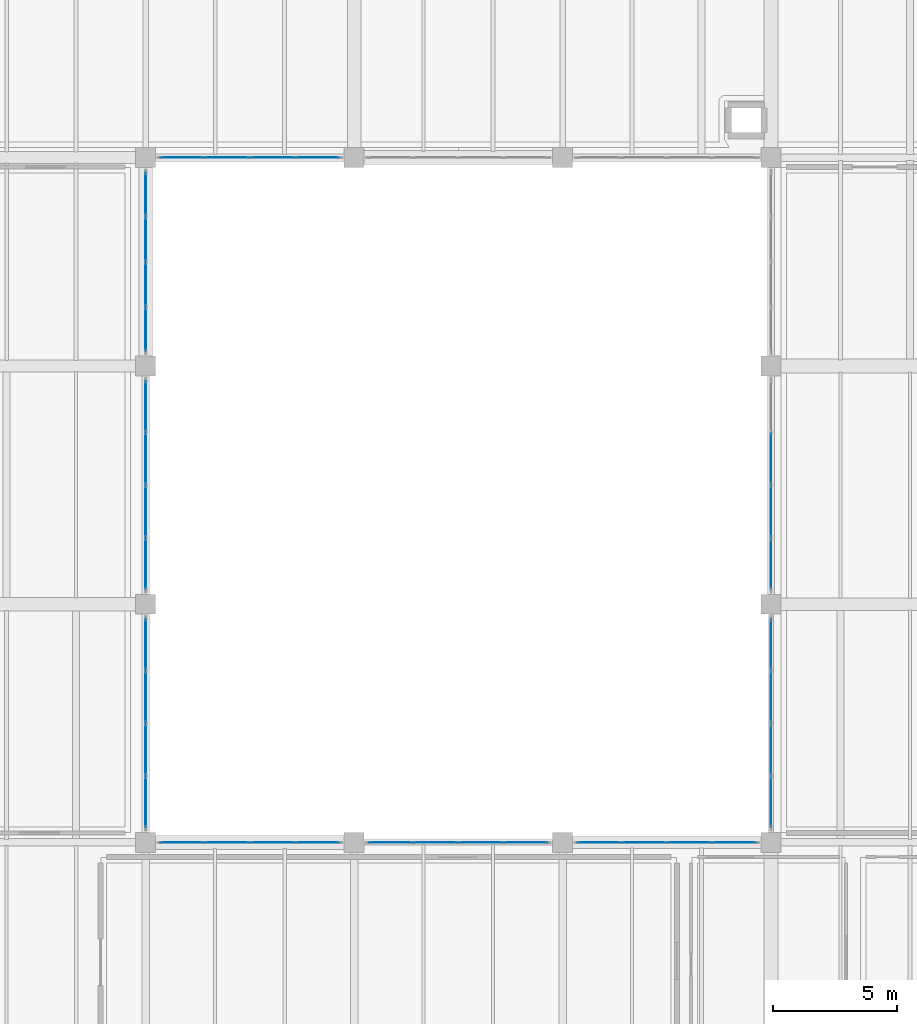
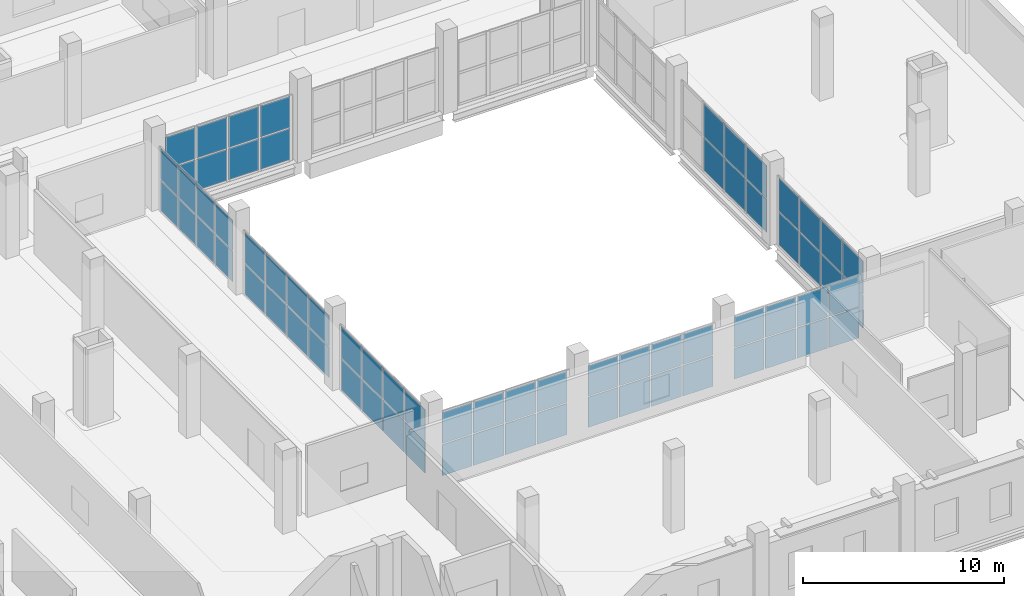
# One storey, part 52 of 73: 70 plates, 9 elements without a shape of their own.
"""IFC4 building model written with IfcOpenShell, lengths in metres."""

from ifc_helpers import new_model, si_unit, direction, frame, origin, origin_2d, place, context, subcontext, project, spatial, rectangle, extrude, material, layer, layer_set, type_object, element, aggregate, save


model = new_model("IFC4")

# Units and contexts
model_context = context("Model", 3, precision=1e-05, world=origin(), true_north=direction((0.0, 1.0)))
body_context = subcontext(model_context, "Body", "Model", "MODEL_VIEW")
ifc_project = project(units=[si_unit("LENGTHUNIT", "METRE"), si_unit("AREAUNIT", "SQUARE_METRE"), si_unit("VOLUMEUNIT", "CUBIC_METRE"), si_unit("PLANEANGLEUNIT", "RADIAN"), si_unit("MASSUNIT", "GRAM", prefix="KILO")], contexts=[model_context])

# Site, building, storey
site_placement = place(None, origin())
site = spatial("IfcSite", under=ifc_project, at=site_placement, CompositionType="ELEMENT")
building_placement = place(site_placement, origin())
building = spatial("IfcBuilding", under=site, at=building_placement, Name="Zulmaris Art Gallery", CompositionType="ELEMENT")
storey_placement = place(building_placement, frame((0.0, 0.0, 10.5)))
storey = spatial("IfcBuildingStorey", under=building, at=storey_placement, Name="L02", CompositionType="ELEMENT", Elevation=10.5)

# Curtain wall, plates
ifc_material_1 = material(Name="Courtyard Artists Studio Curtain Wall", Category="aluminium")
ifc_layer_1 = layer(ifc_material_1, 0.179931640625)
ifc_layer_set_1 = layer_set([ifc_layer_1], Name="Courtyard Artists Studio Curtain Wall")
curtain_wall_type = type_object("IfcCurtainWallType", Name="CW-CW04", PredefinedType="NOTDEFINED", material=ifc_layer_set_1)
curtain_wall_1_placement = place(storey_placement, origin())
curtain_wall_1 = element("IfcCurtainWall", 1, at=curtain_wall_1_placement, inside=storey, type_object=curtain_wall_type, Name="L02 curtain wall 135", PredefinedType="NOTDEFINED")
ifc_material_2 = material(Name="Triple Solar-Control Laminated Glass", Category="glass")
ifc_layer_2 = layer(ifc_material_2, 0.035888671875)
ifc_layer_set_2 = layer_set([ifc_layer_2], Name="Triple Solar-Control Laminated Glass")
plate_type = type_object("IfcPlateType", Name="CWPAN-GLZ", PredefinedType="CURTAIN_PANEL", material=ifc_layer_set_2)
plate_1_placement = place(storey_placement, frame((158.39990234375, 32.82373046875, 0.0751953125), z_axis=(0.0, 0.0, 1.0), x_axis=(0.0, 1.0, 0.0)))
plate_1 = element("IfcPlate", 2, at=plate_1_placement, type_object=plate_type, Name="CW04 panel 1.1", PredefinedType="CURTAIN_PANEL", context=body_context, shape_type="SweptSolid", body=[
    extrude(rectangle(XDim=2.017578125, YDim=0.031982421875, at=origin_2d()), origin(), (0.0, 0.0, 1.0), 1.887451171875),
])
plate_2_placement = place(storey_placement, frame((158.39990234375, 32.82373046875, 2.03759765625), z_axis=(0.0, 0.0, 1.0), x_axis=(0.0, 1.0, 0.0)))
plate_2 = element("IfcPlate", 3, at=plate_2_placement, type_object=plate_type, Name="CW04 panel 1.2", PredefinedType="CURTAIN_PANEL", context=body_context, shape_type="SweptSolid", body=[
    extrude(rectangle(XDim=2.017578125, YDim=0.031982421875, at=origin_2d()), origin(), (0.0, 0.0, 1.0), 1.887451171875),
])
plate_3_placement = place(storey_placement, frame((158.39990234375, 34.93505859375, 0.0751953125), z_axis=(0.0, 0.0, 1.0), x_axis=(0.0, 1.0, 0.0)))
plate_3 = element("IfcPlate", 4, at=plate_3_placement, type_object=plate_type, Name="CW04 panel 2.1", PredefinedType="CURTAIN_PANEL", context=body_context, shape_type="SweptSolid", body=[
    extrude(rectangle(XDim=2.054931640625, YDim=0.031982421875, at=origin_2d()), origin(), (0.0, 0.0, 1.0), 1.887451171875),
])
plate_4_placement = place(storey_placement, frame((158.39990234375, 34.93505859375, 2.03759765625), z_axis=(0.0, 0.0, 1.0), x_axis=(0.0, 1.0, 0.0)))
plate_4 = element("IfcPlate", 5, at=plate_4_placement, type_object=plate_type, Name="CW04 panel 2.2", PredefinedType="CURTAIN_PANEL", context=body_context, shape_type="SweptSolid", body=[
    extrude(rectangle(XDim=2.054931640625, YDim=0.031982421875, at=origin_2d()), origin(), (0.0, 0.0, 1.0), 1.887451171875),
])
plate_5_placement = place(storey_placement, frame((158.39990234375, 37.06494140625, 0.0751953125), z_axis=(0.0, 0.0, 1.0), x_axis=(0.0, 1.0, 0.0)))
plate_5 = element("IfcPlate", 6, at=plate_5_placement, type_object=plate_type, Name="CW04 panel 3.1", PredefinedType="CURTAIN_PANEL", context=body_context, shape_type="SweptSolid", body=[
    extrude(rectangle(XDim=2.054931640625, YDim=0.031982421875, at=origin_2d()), origin(), (0.0, 0.0, 1.0), 1.887451171875),
])
plate_6_placement = place(storey_placement, frame((158.39990234375, 37.06494140625, 2.03759765625), z_axis=(0.0, 0.0, 1.0), x_axis=(0.0, 1.0, 0.0)))
plate_6 = element("IfcPlate", 7, at=plate_6_placement, type_object=plate_type, Name="CW04 panel 3.2", PredefinedType="CURTAIN_PANEL", context=body_context, shape_type="SweptSolid", body=[
    extrude(rectangle(XDim=2.054931640625, YDim=0.031982421875, at=origin_2d()), origin(), (0.0, 0.0, 1.0), 1.887451171875),
])
plate_7_placement = place(storey_placement, frame((158.39990234375, 39.17626953125, 0.0751953125), z_axis=(0.0, 0.0, 1.0), x_axis=(0.0, 1.0, 0.0)))
plate_7 = element("IfcPlate", 8, at=plate_7_placement, type_object=plate_type, Name="CW04 panel 4.1", PredefinedType="CURTAIN_PANEL", context=body_context, shape_type="SweptSolid", body=[
    extrude(rectangle(XDim=2.017578125, YDim=0.031982421875, at=origin_2d()), origin(), (0.0, 0.0, 1.0), 1.887451171875),
])
plate_8_placement = place(storey_placement, frame((158.39990234375, 39.17626953125, 2.03759765625), z_axis=(0.0, 0.0, 1.0), x_axis=(0.0, 1.0, 0.0)))
plate_8 = element("IfcPlate", 9, at=plate_8_placement, type_object=plate_type, Name="CW04 panel 4.2", PredefinedType="CURTAIN_PANEL", context=body_context, shape_type="SweptSolid", body=[
    extrude(rectangle(XDim=2.017578125, YDim=0.031982421875, at=origin_2d()), origin(), (0.0, 0.0, 1.0), 1.887451171875),
])
aggregate(curtain_wall_1, [plate_1, plate_2, plate_3, plate_4, plate_5, plate_6, plate_7, plate_8])

curtain_wall_2_placement = place(storey_placement, origin())
curtain_wall_2 = element("IfcCurtainWall", 10, at=curtain_wall_2_placement, inside=storey, type_object=curtain_wall_type, Name="L02 curtain wall 136", PredefinedType="NOTDEFINED")
plate_9_placement = place(storey_placement, frame((183.60009765625, 39.17626953125, 0.074951171875), z_axis=(0.0, 0.0, 1.0), x_axis=(0.0, -1.0, 0.0)))
plate_9 = element("IfcPlate", 11, at=plate_9_placement, type_object=plate_type, Name="CW04 panel 1.1", PredefinedType="CURTAIN_PANEL", context=body_context, shape_type="SweptSolid", body=[
    extrude(rectangle(XDim=2.017578125, YDim=0.031982421875, at=origin_2d()), origin(), (0.0, 0.0, 1.0), 2.00244140625),
])
plate_10_placement = place(storey_placement, frame((183.60009765625, 39.17626953125, 2.152587890625), z_axis=(0.0, 0.0, 1.0), x_axis=(0.0, -1.0, 0.0)))
plate_10 = element("IfcPlate", 12, at=plate_10_placement, type_object=plate_type, Name="CW04 panel 1.2", PredefinedType="CURTAIN_PANEL", context=body_context, shape_type="SweptSolid", body=[
    extrude(rectangle(XDim=2.017578125, YDim=0.031982421875, at=origin_2d()), origin(), (0.0, 0.0, 1.0), 2.00244140625),
])
plate_11_placement = place(storey_placement, frame((183.60009765625, 37.06494140625, 0.074951171875), z_axis=(0.0, 0.0, 1.0), x_axis=(0.0, -1.0, 0.0)))
plate_11 = element("IfcPlate", 13, at=plate_11_placement, type_object=plate_type, Name="CW04 panel 2.1", PredefinedType="CURTAIN_PANEL", context=body_context, shape_type="SweptSolid", body=[
    extrude(rectangle(XDim=2.054931640625, YDim=0.031982421875, at=origin_2d()), origin(), (0.0, 0.0, 1.0), 2.00244140625),
])
plate_12_placement = place(storey_placement, frame((183.60009765625, 37.06494140625, 2.152587890625), z_axis=(0.0, 0.0, 1.0), x_axis=(0.0, -1.0, 0.0)))
plate_12 = element("IfcPlate", 14, at=plate_12_placement, type_object=plate_type, Name="CW04 panel 2.2", PredefinedType="CURTAIN_PANEL", context=body_context, shape_type="SweptSolid", body=[
    extrude(rectangle(XDim=2.054931640625, YDim=0.031982421875, at=origin_2d()), origin(), (0.0, 0.0, 1.0), 2.00244140625),
])
plate_13_placement = place(storey_placement, frame((183.60009765625, 34.93505859375, 0.074951171875), z_axis=(0.0, 0.0, 1.0), x_axis=(0.0, -1.0, 0.0)))
plate_13 = element("IfcPlate", 15, at=plate_13_placement, type_object=plate_type, Name="CW04 panel 3.1", PredefinedType="CURTAIN_PANEL", context=body_context, shape_type="SweptSolid", body=[
    extrude(rectangle(XDim=2.054931640625, YDim=0.031982421875, at=origin_2d()), origin(), (0.0, 0.0, 1.0), 2.00244140625),
])
plate_14_placement = place(storey_placement, frame((183.60009765625, 34.93505859375, 2.152587890625), z_axis=(0.0, 0.0, 1.0), x_axis=(0.0, -1.0, 0.0)))
plate_14 = element("IfcPlate", 16, at=plate_14_placement, type_object=plate_type, Name="CW04 panel 3.2", PredefinedType="CURTAIN_PANEL", context=body_context, shape_type="SweptSolid", body=[
    extrude(rectangle(XDim=2.054931640625, YDim=0.031982421875, at=origin_2d()), origin(), (0.0, 0.0, 1.0), 2.00244140625),
])
plate_15_placement = place(storey_placement, frame((183.60009765625, 32.82373046875, 0.074951171875), z_axis=(0.0, 0.0, 1.0), x_axis=(0.0, -1.0, 0.0)))
plate_15 = element("IfcPlate", 17, at=plate_15_placement, type_object=plate_type, Name="CW04 panel 4.1", PredefinedType="CURTAIN_PANEL", context=body_context, shape_type="SweptSolid", body=[
    extrude(rectangle(XDim=2.017578125, YDim=0.031982421875, at=origin_2d()), origin(), (0.0, 0.0, 1.0), 2.00244140625),
])
plate_16_placement = place(storey_placement, frame((183.60009765625, 32.82373046875, 2.152587890625), z_axis=(0.0, 0.0, 1.0), x_axis=(0.0, -1.0, 0.0)))
plate_16 = element("IfcPlate", 18, at=plate_16_placement, type_object=plate_type, Name="CW04 panel 4.2", PredefinedType="CURTAIN_PANEL", context=body_context, shape_type="SweptSolid", body=[
    extrude(rectangle(XDim=2.017578125, YDim=0.031982421875, at=origin_2d()), origin(), (0.0, 0.0, 1.0), 2.00244140625),
])
aggregate(curtain_wall_2, [plate_9, plate_10, plate_11, plate_12, plate_13, plate_14, plate_15, plate_16])

curtain_wall_3_placement = place(storey_placement, origin())
curtain_wall_3 = element("IfcCurtainWall", 19, at=curtain_wall_3_placement, inside=storey, type_object=curtain_wall_type, Name="L02 curtain wall 137", PredefinedType="NOTDEFINED")
plate_17_placement = place(storey_placement, frame((158.39990234375, 42.423828125, 0.074951171875), z_axis=(0.0, 0.0, 1.0), x_axis=(0.0, 1.0, 0.0)))
plate_17 = element("IfcPlate", 20, at=plate_17_placement, type_object=plate_type, Name="CW04 panel 1.1", PredefinedType="CURTAIN_PANEL", context=body_context, shape_type="SweptSolid", body=[
    extrude(rectangle(XDim=2.017578125, YDim=0.031982421875, at=origin_2d()), origin(), (0.0, 0.0, 1.0), 1.83740234375),
])
plate_18_placement = place(storey_placement, frame((158.39990234375, 42.423828125, 1.987548828125), z_axis=(0.0, 0.0, 1.0), x_axis=(0.0, 1.0, 0.0)))
plate_18 = element("IfcPlate", 21, at=plate_18_placement, type_object=plate_type, Name="CW04 panel 1.2", PredefinedType="CURTAIN_PANEL", context=body_context, shape_type="SweptSolid", body=[
    extrude(rectangle(XDim=2.017578125, YDim=0.031982421875, at=origin_2d()), origin(), (0.0, 0.0, 1.0), 1.83740234375),
])
plate_19_placement = place(storey_placement, frame((158.39990234375, 44.534912109375, 0.074951171875), z_axis=(0.0, 0.0, 1.0), x_axis=(0.0, 1.0, 0.0)))
plate_19 = element("IfcPlate", 22, at=plate_19_placement, type_object=plate_type, Name="CW04 panel 2.1", PredefinedType="CURTAIN_PANEL", context=body_context, shape_type="SweptSolid", body=[
    extrude(rectangle(XDim=2.054931640625, YDim=0.031982421875, at=origin_2d()), origin(), (0.0, 0.0, 1.0), 1.83740234375),
])
plate_20_placement = place(storey_placement, frame((158.39990234375, 44.534912109375, 1.987548828125), z_axis=(0.0, 0.0, 1.0), x_axis=(0.0, 1.0, 0.0)))
plate_20 = element("IfcPlate", 23, at=plate_20_placement, type_object=plate_type, Name="CW04 panel 2.2", PredefinedType="CURTAIN_PANEL", context=body_context, shape_type="SweptSolid", body=[
    extrude(rectangle(XDim=2.054931640625, YDim=0.031982421875, at=origin_2d()), origin(), (0.0, 0.0, 1.0), 1.83740234375),
])
plate_21_placement = place(storey_placement, frame((158.39990234375, 46.6650390625, 0.074951171875), z_axis=(0.0, 0.0, 1.0), x_axis=(0.0, 1.0, 0.0)))
plate_21 = element("IfcPlate", 24, at=plate_21_placement, type_object=plate_type, Name="CW04 panel 3.1", PredefinedType="CURTAIN_PANEL", context=body_context, shape_type="SweptSolid", body=[
    extrude(rectangle(XDim=2.054931640625, YDim=0.031982421875, at=origin_2d()), origin(), (0.0, 0.0, 1.0), 1.83740234375),
])
plate_22_placement = place(storey_placement, frame((158.39990234375, 46.6650390625, 1.987548828125), z_axis=(0.0, 0.0, 1.0), x_axis=(0.0, 1.0, 0.0)))
plate_22 = element("IfcPlate", 25, at=plate_22_placement, type_object=plate_type, Name="CW04 panel 3.2", PredefinedType="CURTAIN_PANEL", context=body_context, shape_type="SweptSolid", body=[
    extrude(rectangle(XDim=2.054931640625, YDim=0.031982421875, at=origin_2d()), origin(), (0.0, 0.0, 1.0), 1.83740234375),
])
plate_23_placement = place(storey_placement, frame((158.39990234375, 48.7763671875, 0.074951171875), z_axis=(0.0, 0.0, 1.0), x_axis=(0.0, 1.0, 0.0)))
plate_23 = element("IfcPlate", 26, at=plate_23_placement, type_object=plate_type, Name="CW04 panel 4.1", PredefinedType="CURTAIN_PANEL", context=body_context, shape_type="SweptSolid", body=[
    extrude(rectangle(XDim=2.017578125, YDim=0.031982421875, at=origin_2d()), origin(), (0.0, 0.0, 1.0), 1.83740234375),
])
plate_24_placement = place(storey_placement, frame((158.39990234375, 48.7763671875, 1.987548828125), z_axis=(0.0, 0.0, 1.0), x_axis=(0.0, 1.0, 0.0)))
plate_24 = element("IfcPlate", 27, at=plate_24_placement, type_object=plate_type, Name="CW04 panel 4.2", PredefinedType="CURTAIN_PANEL", context=body_context, shape_type="SweptSolid", body=[
    extrude(rectangle(XDim=2.017578125, YDim=0.031982421875, at=origin_2d()), origin(), (0.0, 0.0, 1.0), 1.83740234375),
])
aggregate(curtain_wall_3, [plate_17, plate_18, plate_19, plate_20, plate_21, plate_22, plate_23, plate_24])

curtain_wall_4_placement = place(storey_placement, origin())
curtain_wall_4 = element("IfcCurtainWall", 28, at=curtain_wall_4_placement, inside=storey, type_object=curtain_wall_type, Name="L02 curtain wall 138", PredefinedType="NOTDEFINED")
plate_25_placement = place(storey_placement, frame((183.60009765625, 46.6650390625, 0.0751953125), z_axis=(0.0, 0.0, 1.0), x_axis=(0.0, -1.0, 0.0)))
plate_25 = element("IfcPlate", 29, at=plate_25_placement, type_object=plate_type, Name="CW04 panel 2.1", PredefinedType="CURTAIN_PANEL", context=body_context, shape_type="SweptSolid", body=[
    extrude(rectangle(XDim=2.054931640625, YDim=0.031982421875, at=origin_2d()), origin(), (0.0, 0.0, 1.0), 1.992431640625),
])
plate_26_placement = place(storey_placement, frame((183.60009765625, 46.6650390625, 2.142578125), z_axis=(0.0, 0.0, 1.0), x_axis=(0.0, -1.0, 0.0)))
plate_26 = element("IfcPlate", 30, at=plate_26_placement, type_object=plate_type, Name="CW04 panel 2.2", PredefinedType="CURTAIN_PANEL", context=body_context, shape_type="SweptSolid", body=[
    extrude(rectangle(XDim=2.054931640625, YDim=0.031982421875, at=origin_2d()), origin(), (0.0, 0.0, 1.0), 1.992431640625),
])
plate_27_placement = place(storey_placement, frame((183.60009765625, 44.534912109375, 0.0751953125), z_axis=(0.0, 0.0, 1.0), x_axis=(0.0, -1.0, 0.0)))
plate_27 = element("IfcPlate", 31, at=plate_27_placement, type_object=plate_type, Name="CW04 panel 3.1", PredefinedType="CURTAIN_PANEL", context=body_context, shape_type="SweptSolid", body=[
    extrude(rectangle(XDim=2.054931640625, YDim=0.031982421875, at=origin_2d()), origin(), (0.0, 0.0, 1.0), 1.992431640625),
])
plate_28_placement = place(storey_placement, frame((183.60009765625, 44.534912109375, 2.142578125), z_axis=(0.0, 0.0, 1.0), x_axis=(0.0, -1.0, 0.0)))
plate_28 = element("IfcPlate", 32, at=plate_28_placement, type_object=plate_type, Name="CW04 panel 3.2", PredefinedType="CURTAIN_PANEL", context=body_context, shape_type="SweptSolid", body=[
    extrude(rectangle(XDim=2.054931640625, YDim=0.031982421875, at=origin_2d()), origin(), (0.0, 0.0, 1.0), 1.992431640625),
])
plate_29_placement = place(storey_placement, frame((183.60009765625, 42.423828125, 0.0751953125), z_axis=(0.0, 0.0, 1.0), x_axis=(0.0, -1.0, 0.0)))
plate_29 = element("IfcPlate", 33, at=plate_29_placement, type_object=plate_type, Name="CW04 panel 4.1", PredefinedType="CURTAIN_PANEL", context=body_context, shape_type="SweptSolid", body=[
    extrude(rectangle(XDim=2.017578125, YDim=0.031982421875, at=origin_2d()), origin(), (0.0, 0.0, 1.0), 1.992431640625),
])
plate_30_placement = place(storey_placement, frame((183.60009765625, 42.423828125, 2.142578125), z_axis=(0.0, 0.0, 1.0), x_axis=(0.0, -1.0, 0.0)))
plate_30 = element("IfcPlate", 34, at=plate_30_placement, type_object=plate_type, Name="CW04 panel 4.2", PredefinedType="CURTAIN_PANEL", context=body_context, shape_type="SweptSolid", body=[
    extrude(rectangle(XDim=2.017578125, YDim=0.031982421875, at=origin_2d()), origin(), (0.0, 0.0, 1.0), 1.992431640625),
])
aggregate(curtain_wall_4, [plate_25, plate_26, plate_27, plate_28, plate_29, plate_30])

curtain_wall_5_placement = place(storey_placement, origin())
curtain_wall_5 = element("IfcCurtainWall", 35, at=curtain_wall_5_placement, inside=storey, type_object=curtain_wall_type, Name="L02 curtain wall 139", PredefinedType="NOTDEFINED")
plate_31_placement = place(storey_placement, frame((158.39990234375, 51.873779296875, 0.074951171875), z_axis=(0.0, 0.0, 1.0), x_axis=(0.0, 1.0, 0.0)))
plate_31 = element("IfcPlate", 36, at=plate_31_placement, type_object=plate_type, Name="CW04 panel 1.1", PredefinedType="CURTAIN_PANEL", context=body_context, shape_type="SweptSolid", body=[
    extrude(rectangle(XDim=1.717529296875, YDim=0.031982421875, at=origin_2d()), origin(), (0.0, 0.0, 1.0), 1.83740234375),
])
plate_32_placement = place(storey_placement, frame((158.39990234375, 51.873779296875, 1.987548828125), z_axis=(0.0, 0.0, 1.0), x_axis=(0.0, 1.0, 0.0)))
plate_32 = element("IfcPlate", 37, at=plate_32_placement, type_object=plate_type, Name="CW04 panel 1.2", PredefinedType="CURTAIN_PANEL", context=body_context, shape_type="SweptSolid", body=[
    extrude(rectangle(XDim=1.717529296875, YDim=0.031982421875, at=origin_2d()), origin(), (0.0, 0.0, 1.0), 1.83740234375),
])
plate_33_placement = place(storey_placement, frame((158.39990234375, 53.68505859375, 0.074951171875), z_axis=(0.0, 0.0, 1.0), x_axis=(0.0, 1.0, 0.0)))
plate_33 = element("IfcPlate", 38, at=plate_33_placement, type_object=plate_type, Name="CW04 panel 2.1", PredefinedType="CURTAIN_PANEL", context=body_context, shape_type="SweptSolid", body=[
    extrude(rectangle(XDim=1.7548828125, YDim=0.031982421875, at=origin_2d()), origin(), (0.0, 0.0, 1.0), 1.83740234375),
])
plate_34_placement = place(storey_placement, frame((158.39990234375, 53.68505859375, 1.987548828125), z_axis=(0.0, 0.0, 1.0), x_axis=(0.0, 1.0, 0.0)))
plate_34 = element("IfcPlate", 39, at=plate_34_placement, type_object=plate_type, Name="CW04 panel 2.2", PredefinedType="CURTAIN_PANEL", context=body_context, shape_type="SweptSolid", body=[
    extrude(rectangle(XDim=1.7548828125, YDim=0.031982421875, at=origin_2d()), origin(), (0.0, 0.0, 1.0), 1.83740234375),
])
plate_35_placement = place(storey_placement, frame((158.39990234375, 55.514892578125, 0.074951171875), z_axis=(0.0, 0.0, 1.0), x_axis=(0.0, 1.0, 0.0)))
plate_35 = element("IfcPlate", 40, at=plate_35_placement, type_object=plate_type, Name="CW04 panel 3.1", PredefinedType="CURTAIN_PANEL", context=body_context, shape_type="SweptSolid", body=[
    extrude(rectangle(XDim=1.7548828125, YDim=0.031982421875, at=origin_2d()), origin(), (0.0, 0.0, 1.0), 1.83740234375),
])
plate_36_placement = place(storey_placement, frame((158.39990234375, 55.514892578125, 1.987548828125), z_axis=(0.0, 0.0, 1.0), x_axis=(0.0, 1.0, 0.0)))
plate_36 = element("IfcPlate", 41, at=plate_36_placement, type_object=plate_type, Name="CW04 panel 3.2", PredefinedType="CURTAIN_PANEL", context=body_context, shape_type="SweptSolid", body=[
    extrude(rectangle(XDim=1.7548828125, YDim=0.031982421875, at=origin_2d()), origin(), (0.0, 0.0, 1.0), 1.83740234375),
])
plate_37_placement = place(storey_placement, frame((158.39990234375, 57.326171875, 0.074951171875), z_axis=(0.0, 0.0, 1.0), x_axis=(0.0, 1.0, 0.0)))
plate_37 = element("IfcPlate", 42, at=plate_37_placement, type_object=plate_type, Name="CW04 panel 4.1", PredefinedType="CURTAIN_PANEL", context=body_context, shape_type="SweptSolid", body=[
    extrude(rectangle(XDim=1.717529296875, YDim=0.031982421875, at=origin_2d()), origin(), (0.0, 0.0, 1.0), 1.83740234375),
])
plate_38_placement = place(storey_placement, frame((158.39990234375, 57.326171875, 1.987548828125), z_axis=(0.0, 0.0, 1.0), x_axis=(0.0, 1.0, 0.0)))
plate_38 = element("IfcPlate", 43, at=plate_38_placement, type_object=plate_type, Name="CW04 panel 4.2", PredefinedType="CURTAIN_PANEL", context=body_context, shape_type="SweptSolid", body=[
    extrude(rectangle(XDim=1.717529296875, YDim=0.031982421875, at=origin_2d()), origin(), (0.0, 0.0, 1.0), 1.83740234375),
])
aggregate(curtain_wall_5, [plate_31, plate_32, plate_33, plate_34, plate_35, plate_36, plate_37, plate_38])

curtain_wall_6_placement = place(storey_placement, origin())
curtain_wall_6 = element("IfcCurtainWall", 44, at=curtain_wall_6_placement, inside=storey, type_object=curtain_wall_type, Name="L02 curtain wall 141", PredefinedType="NOTDEFINED")
plate_39_placement = place(storey_placement, frame((165.326171875, 58.800048828125, 0.0751953125), z_axis=(0.0, 0.0, 1.0), x_axis=(-1.0, 0.0, 0.0)))
plate_39 = element("IfcPlate", 45, at=plate_39_placement, type_object=plate_type, Name="CW04 panel 1.1", PredefinedType="CURTAIN_PANEL", context=body_context, shape_type="SweptSolid", body=[
    extrude(rectangle(XDim=1.717529296875, YDim=0.031982421875, at=origin_2d()), origin(), (0.0, 0.0, 1.0), 1.887451171875),
])
plate_40_placement = place(storey_placement, frame((165.326171875, 58.800048828125, 2.03759765625), z_axis=(0.0, 0.0, 1.0), x_axis=(-1.0, 0.0, 0.0)))
plate_40 = element("IfcPlate", 46, at=plate_40_placement, type_object=plate_type, Name="CW04 panel 1.2", PredefinedType="CURTAIN_PANEL", context=body_context, shape_type="SweptSolid", body=[
    extrude(rectangle(XDim=1.717529296875, YDim=0.031982421875, at=origin_2d()), origin(), (0.0, 0.0, 1.0), 1.887451171875),
])
plate_41_placement = place(storey_placement, frame((163.514892578125, 58.800048828125, 0.0751953125), z_axis=(0.0, 0.0, 1.0), x_axis=(-1.0, 0.0, 0.0)))
plate_41 = element("IfcPlate", 47, at=plate_41_placement, type_object=plate_type, Name="CW04 panel 2.1", PredefinedType="CURTAIN_PANEL", context=body_context, shape_type="SweptSolid", body=[
    extrude(rectangle(XDim=1.7548828125, YDim=0.031982421875, at=origin_2d()), origin(), (0.0, 0.0, 1.0), 1.887451171875),
])
plate_42_placement = place(storey_placement, frame((163.514892578125, 58.800048828125, 2.03759765625), z_axis=(0.0, 0.0, 1.0), x_axis=(-1.0, 0.0, 0.0)))
plate_42 = element("IfcPlate", 48, at=plate_42_placement, type_object=plate_type, Name="CW04 panel 2.2", PredefinedType="CURTAIN_PANEL", context=body_context, shape_type="SweptSolid", body=[
    extrude(rectangle(XDim=1.7548828125, YDim=0.031982421875, at=origin_2d()), origin(), (0.0, 0.0, 1.0), 1.887451171875),
])
plate_43_placement = place(storey_placement, frame((161.68505859375, 58.800048828125, 0.0751953125), z_axis=(0.0, 0.0, 1.0), x_axis=(-1.0, 0.0, 0.0)))
plate_43 = element("IfcPlate", 49, at=plate_43_placement, type_object=plate_type, Name="CW04 panel 3.1", PredefinedType="CURTAIN_PANEL", context=body_context, shape_type="SweptSolid", body=[
    extrude(rectangle(XDim=1.7548828125, YDim=0.031982421875, at=origin_2d()), origin(), (0.0, 0.0, 1.0), 1.887451171875),
])
plate_44_placement = place(storey_placement, frame((161.68505859375, 58.800048828125, 2.03759765625), z_axis=(0.0, 0.0, 1.0), x_axis=(-1.0, 0.0, 0.0)))
plate_44 = element("IfcPlate", 50, at=plate_44_placement, type_object=plate_type, Name="CW04 panel 3.2", PredefinedType="CURTAIN_PANEL", context=body_context, shape_type="SweptSolid", body=[
    extrude(rectangle(XDim=1.7548828125, YDim=0.031982421875, at=origin_2d()), origin(), (0.0, 0.0, 1.0), 1.887451171875),
])
plate_45_placement = place(storey_placement, frame((159.873779296875, 58.800048828125, 0.0751953125), z_axis=(0.0, 0.0, 1.0), x_axis=(-1.0, 0.0, 0.0)))
plate_45 = element("IfcPlate", 51, at=plate_45_placement, type_object=plate_type, Name="CW04 panel 4.1", PredefinedType="CURTAIN_PANEL", context=body_context, shape_type="SweptSolid", body=[
    extrude(rectangle(XDim=1.717529296875, YDim=0.031982421875, at=origin_2d()), origin(), (0.0, 0.0, 1.0), 1.887451171875),
])
plate_46_placement = place(storey_placement, frame((159.873779296875, 58.800048828125, 2.03759765625), z_axis=(0.0, 0.0, 1.0), x_axis=(-1.0, 0.0, 0.0)))
plate_46 = element("IfcPlate", 52, at=plate_46_placement, type_object=plate_type, Name="CW04 panel 4.2", PredefinedType="CURTAIN_PANEL", context=body_context, shape_type="SweptSolid", body=[
    extrude(rectangle(XDim=1.717529296875, YDim=0.031982421875, at=origin_2d()), origin(), (0.0, 0.0, 1.0), 1.887451171875),
])
aggregate(curtain_wall_6, [plate_39, plate_40, plate_41, plate_42, plate_43, plate_44, plate_45, plate_46])

curtain_wall_7_placement = place(storey_placement, origin())
curtain_wall_7 = element("IfcCurtainWall", 53, at=curtain_wall_7_placement, inside=storey, type_object=curtain_wall_type, Name="L02 curtain wall 142", PredefinedType="NOTDEFINED")
plate_47_placement = place(storey_placement, frame((159.873779296875, 31.199951171875, 0.0751953125), z_axis=(0.0, 0.0, 1.0), x_axis=(1.0, 0.0, 0.0)))
plate_47 = element("IfcPlate", 54, at=plate_47_placement, type_object=plate_type, Name="CW04 panel 1.1", PredefinedType="CURTAIN_PANEL", context=body_context, shape_type="SweptSolid", body=[
    extrude(rectangle(XDim=1.717529296875, YDim=0.031982421875, at=origin_2d()), origin(), (0.0, 0.0, 1.0), 1.887451171875),
])
plate_48_placement = place(storey_placement, frame((159.873779296875, 31.199951171875, 2.03759765625), z_axis=(0.0, 0.0, 1.0), x_axis=(1.0, 0.0, 0.0)))
plate_48 = element("IfcPlate", 55, at=plate_48_placement, type_object=plate_type, Name="CW04 panel 1.2", PredefinedType="CURTAIN_PANEL", context=body_context, shape_type="SweptSolid", body=[
    extrude(rectangle(XDim=1.717529296875, YDim=0.031982421875, at=origin_2d()), origin(), (0.0, 0.0, 1.0), 1.887451171875),
])
plate_49_placement = place(storey_placement, frame((161.68505859375, 31.199951171875, 0.0751953125), z_axis=(0.0, 0.0, 1.0), x_axis=(1.0, 0.0, 0.0)))
plate_49 = element("IfcPlate", 56, at=plate_49_placement, type_object=plate_type, Name="CW04 panel 2.1", PredefinedType="CURTAIN_PANEL", context=body_context, shape_type="SweptSolid", body=[
    extrude(rectangle(XDim=1.7548828125, YDim=0.031982421875, at=origin_2d()), origin(), (0.0, 0.0, 1.0), 1.887451171875),
])
plate_50_placement = place(storey_placement, frame((161.68505859375, 31.199951171875, 2.03759765625), z_axis=(0.0, 0.0, 1.0), x_axis=(1.0, 0.0, 0.0)))
plate_50 = element("IfcPlate", 57, at=plate_50_placement, type_object=plate_type, Name="CW04 panel 2.2", PredefinedType="CURTAIN_PANEL", context=body_context, shape_type="SweptSolid", body=[
    extrude(rectangle(XDim=1.7548828125, YDim=0.031982421875, at=origin_2d()), origin(), (0.0, 0.0, 1.0), 1.887451171875),
])
plate_51_placement = place(storey_placement, frame((163.514892578125, 31.199951171875, 0.0751953125), z_axis=(0.0, 0.0, 1.0), x_axis=(1.0, 0.0, 0.0)))
plate_51 = element("IfcPlate", 58, at=plate_51_placement, type_object=plate_type, Name="CW04 panel 3.1", PredefinedType="CURTAIN_PANEL", context=body_context, shape_type="SweptSolid", body=[
    extrude(rectangle(XDim=1.7548828125, YDim=0.031982421875, at=origin_2d()), origin(), (0.0, 0.0, 1.0), 1.887451171875),
])
plate_52_placement = place(storey_placement, frame((163.514892578125, 31.199951171875, 2.03759765625), z_axis=(0.0, 0.0, 1.0), x_axis=(1.0, 0.0, 0.0)))
plate_52 = element("IfcPlate", 59, at=plate_52_placement, type_object=plate_type, Name="CW04 panel 3.2", PredefinedType="CURTAIN_PANEL", context=body_context, shape_type="SweptSolid", body=[
    extrude(rectangle(XDim=1.7548828125, YDim=0.031982421875, at=origin_2d()), origin(), (0.0, 0.0, 1.0), 1.887451171875),
])
plate_53_placement = place(storey_placement, frame((165.326171875, 31.199951171875, 0.0751953125), z_axis=(0.0, 0.0, 1.0), x_axis=(1.0, 0.0, 0.0)))
plate_53 = element("IfcPlate", 60, at=plate_53_placement, type_object=plate_type, Name="CW04 panel 4.1", PredefinedType="CURTAIN_PANEL", context=body_context, shape_type="SweptSolid", body=[
    extrude(rectangle(XDim=1.717529296875, YDim=0.031982421875, at=origin_2d()), origin(), (0.0, 0.0, 1.0), 1.887451171875),
])
plate_54_placement = place(storey_placement, frame((165.326171875, 31.199951171875, 2.03759765625), z_axis=(0.0, 0.0, 1.0), x_axis=(1.0, 0.0, 0.0)))
plate_54 = element("IfcPlate", 61, at=plate_54_placement, type_object=plate_type, Name="CW04 panel 4.2", PredefinedType="CURTAIN_PANEL", context=body_context, shape_type="SweptSolid", body=[
    extrude(rectangle(XDim=1.717529296875, YDim=0.031982421875, at=origin_2d()), origin(), (0.0, 0.0, 1.0), 1.887451171875),
])
aggregate(curtain_wall_7, [plate_47, plate_48, plate_49, plate_50, plate_51, plate_52, plate_53, plate_54])

curtain_wall_8_placement = place(storey_placement, origin())
curtain_wall_8 = element("IfcCurtainWall", 62, at=curtain_wall_8_placement, inside=storey, type_object=curtain_wall_type, Name="L02 curtain wall 144", PredefinedType="NOTDEFINED")
plate_55_placement = place(storey_placement, frame((168.273681640625, 31.199951171875, 0.074951171875), z_axis=(0.0, 0.0, 1.0), x_axis=(1.0, 0.0, 0.0)))
plate_55 = element("IfcPlate", 63, at=plate_55_placement, type_object=plate_type, Name="CW04 panel 1.1", PredefinedType="CURTAIN_PANEL", context=body_context, shape_type="SweptSolid", body=[
    extrude(rectangle(XDim=1.717529296875, YDim=0.031982421875, at=origin_2d()), origin(), (0.0, 0.0, 1.0), 1.83740234375),
])
plate_56_placement = place(storey_placement, frame((168.273681640625, 31.199951171875, 1.987548828125), z_axis=(0.0, 0.0, 1.0), x_axis=(1.0, 0.0, 0.0)))
plate_56 = element("IfcPlate", 64, at=plate_56_placement, type_object=plate_type, Name="CW04 panel 1.2", PredefinedType="CURTAIN_PANEL", context=body_context, shape_type="SweptSolid", body=[
    extrude(rectangle(XDim=1.717529296875, YDim=0.031982421875, at=origin_2d()), origin(), (0.0, 0.0, 1.0), 1.83740234375),
])
plate_57_placement = place(storey_placement, frame((170.0849609375, 31.199951171875, 0.074951171875), z_axis=(0.0, 0.0, 1.0), x_axis=(1.0, 0.0, 0.0)))
plate_57 = element("IfcPlate", 65, at=plate_57_placement, type_object=plate_type, Name="CW04 panel 2.1", PredefinedType="CURTAIN_PANEL", context=body_context, shape_type="SweptSolid", body=[
    extrude(rectangle(XDim=1.7548828125, YDim=0.031982421875, at=origin_2d()), origin(), (0.0, 0.0, 1.0), 1.83740234375),
])
plate_58_placement = place(storey_placement, frame((170.0849609375, 31.199951171875, 1.987548828125), z_axis=(0.0, 0.0, 1.0), x_axis=(1.0, 0.0, 0.0)))
plate_58 = element("IfcPlate", 66, at=plate_58_placement, type_object=plate_type, Name="CW04 panel 2.2", PredefinedType="CURTAIN_PANEL", context=body_context, shape_type="SweptSolid", body=[
    extrude(rectangle(XDim=1.7548828125, YDim=0.031982421875, at=origin_2d()), origin(), (0.0, 0.0, 1.0), 1.83740234375),
])
plate_59_placement = place(storey_placement, frame((171.9150390625, 31.199951171875, 0.074951171875), z_axis=(0.0, 0.0, 1.0), x_axis=(1.0, 0.0, 0.0)))
plate_59 = element("IfcPlate", 67, at=plate_59_placement, type_object=plate_type, Name="CW04 panel 3.1", PredefinedType="CURTAIN_PANEL", context=body_context, shape_type="SweptSolid", body=[
    extrude(rectangle(XDim=1.7548828125, YDim=0.031982421875, at=origin_2d()), origin(), (0.0, 0.0, 1.0), 1.83740234375),
])
plate_60_placement = place(storey_placement, frame((171.9150390625, 31.199951171875, 1.987548828125), z_axis=(0.0, 0.0, 1.0), x_axis=(1.0, 0.0, 0.0)))
plate_60 = element("IfcPlate", 68, at=plate_60_placement, type_object=plate_type, Name="CW04 panel 3.2", PredefinedType="CURTAIN_PANEL", context=body_context, shape_type="SweptSolid", body=[
    extrude(rectangle(XDim=1.7548828125, YDim=0.031982421875, at=origin_2d()), origin(), (0.0, 0.0, 1.0), 1.83740234375),
])
plate_61_placement = place(storey_placement, frame((173.726318359375, 31.199951171875, 0.074951171875), z_axis=(0.0, 0.0, 1.0), x_axis=(1.0, 0.0, 0.0)))
plate_61 = element("IfcPlate", 69, at=plate_61_placement, type_object=plate_type, Name="CW04 panel 4.1", PredefinedType="CURTAIN_PANEL", context=body_context, shape_type="SweptSolid", body=[
    extrude(rectangle(XDim=1.717529296875, YDim=0.031982421875, at=origin_2d()), origin(), (0.0, 0.0, 1.0), 1.83740234375),
])
plate_62_placement = place(storey_placement, frame((173.726318359375, 31.199951171875, 1.987548828125), z_axis=(0.0, 0.0, 1.0), x_axis=(1.0, 0.0, 0.0)))
plate_62 = element("IfcPlate", 70, at=plate_62_placement, type_object=plate_type, Name="CW04 panel 4.2", PredefinedType="CURTAIN_PANEL", context=body_context, shape_type="SweptSolid", body=[
    extrude(rectangle(XDim=1.717529296875, YDim=0.031982421875, at=origin_2d()), origin(), (0.0, 0.0, 1.0), 1.83740234375),
])
aggregate(curtain_wall_8, [plate_55, plate_56, plate_57, plate_58, plate_59, plate_60, plate_61, plate_62])

curtain_wall_9_placement = place(storey_placement, origin())
curtain_wall_9 = element("IfcCurtainWall", 71, at=curtain_wall_9_placement, inside=storey, type_object=curtain_wall_type, Name="L02 curtain wall 146", PredefinedType="NOTDEFINED")
plate_63_placement = place(storey_placement, frame((176.673828125, 31.199951171875, 0.074951171875), z_axis=(0.0, 0.0, 1.0), x_axis=(1.0, 0.0, 0.0)))
plate_63 = element("IfcPlate", 72, at=plate_63_placement, type_object=plate_type, Name="CW04 panel 1.1", PredefinedType="CURTAIN_PANEL", context=body_context, shape_type="SweptSolid", body=[
    extrude(rectangle(XDim=1.717529296875, YDim=0.031982421875, at=origin_2d()), origin(), (0.0, 0.0, 1.0), 1.83740234375),
])
plate_64_placement = place(storey_placement, frame((176.673828125, 31.199951171875, 1.987548828125), z_axis=(0.0, 0.0, 1.0), x_axis=(1.0, 0.0, 0.0)))
plate_64 = element("IfcPlate", 73, at=plate_64_placement, type_object=plate_type, Name="CW04 panel 1.2", PredefinedType="CURTAIN_PANEL", context=body_context, shape_type="SweptSolid", body=[
    extrude(rectangle(XDim=1.717529296875, YDim=0.031982421875, at=origin_2d()), origin(), (0.0, 0.0, 1.0), 1.83740234375),
])
plate_65_placement = place(storey_placement, frame((178.485107421875, 31.199951171875, 0.074951171875), z_axis=(0.0, 0.0, 1.0), x_axis=(1.0, 0.0, 0.0)))
plate_65 = element("IfcPlate", 74, at=plate_65_placement, type_object=plate_type, Name="CW04 panel 2.1", PredefinedType="CURTAIN_PANEL", context=body_context, shape_type="SweptSolid", body=[
    extrude(rectangle(XDim=1.7548828125, YDim=0.031982421875, at=origin_2d()), origin(), (0.0, 0.0, 1.0), 1.83740234375),
])
plate_66_placement = place(storey_placement, frame((178.485107421875, 31.199951171875, 1.987548828125), z_axis=(0.0, 0.0, 1.0), x_axis=(1.0, 0.0, 0.0)))
plate_66 = element("IfcPlate", 75, at=plate_66_placement, type_object=plate_type, Name="CW04 panel 2.2", PredefinedType="CURTAIN_PANEL", context=body_context, shape_type="SweptSolid", body=[
    extrude(rectangle(XDim=1.7548828125, YDim=0.031982421875, at=origin_2d()), origin(), (0.0, 0.0, 1.0), 1.83740234375),
])
plate_67_placement = place(storey_placement, frame((180.31494140625, 31.199951171875, 0.074951171875), z_axis=(0.0, 0.0, 1.0), x_axis=(1.0, 0.0, 0.0)))
plate_67 = element("IfcPlate", 76, at=plate_67_placement, type_object=plate_type, Name="CW04 panel 3.1", PredefinedType="CURTAIN_PANEL", context=body_context, shape_type="SweptSolid", body=[
    extrude(rectangle(XDim=1.7548828125, YDim=0.031982421875, at=origin_2d()), origin(), (0.0, 0.0, 1.0), 1.83740234375),
])
plate_68_placement = place(storey_placement, frame((180.31494140625, 31.199951171875, 1.987548828125), z_axis=(0.0, 0.0, 1.0), x_axis=(1.0, 0.0, 0.0)))
plate_68 = element("IfcPlate", 77, at=plate_68_placement, type_object=plate_type, Name="CW04 panel 3.2", PredefinedType="CURTAIN_PANEL", context=body_context, shape_type="SweptSolid", body=[
    extrude(rectangle(XDim=1.7548828125, YDim=0.031982421875, at=origin_2d()), origin(), (0.0, 0.0, 1.0), 1.83740234375),
])
plate_69_placement = place(storey_placement, frame((182.126220703125, 31.199951171875, 0.074951171875), z_axis=(0.0, 0.0, 1.0), x_axis=(1.0, 0.0, 0.0)))
plate_69 = element("IfcPlate", 78, at=plate_69_placement, type_object=plate_type, Name="CW04 panel 4.1", PredefinedType="CURTAIN_PANEL", context=body_context, shape_type="SweptSolid", body=[
    extrude(rectangle(XDim=1.717529296875, YDim=0.031982421875, at=origin_2d()), origin(), (0.0, 0.0, 1.0), 1.83740234375),
])
plate_70_placement = place(storey_placement, frame((182.126220703125, 31.199951171875, 1.987548828125), z_axis=(0.0, 0.0, 1.0), x_axis=(1.0, 0.0, 0.0)))
plate_70 = element("IfcPlate", 79, at=plate_70_placement, type_object=plate_type, Name="CW04 panel 4.2", PredefinedType="CURTAIN_PANEL", context=body_context, shape_type="SweptSolid", body=[
    extrude(rectangle(XDim=1.717529296875, YDim=0.031982421875, at=origin_2d()), origin(), (0.0, 0.0, 1.0), 1.83740234375),
])
aggregate(curtain_wall_9, [plate_63, plate_64, plate_65, plate_66, plate_67, plate_68, plate_69, plate_70])

save(model, "model.ifc")
